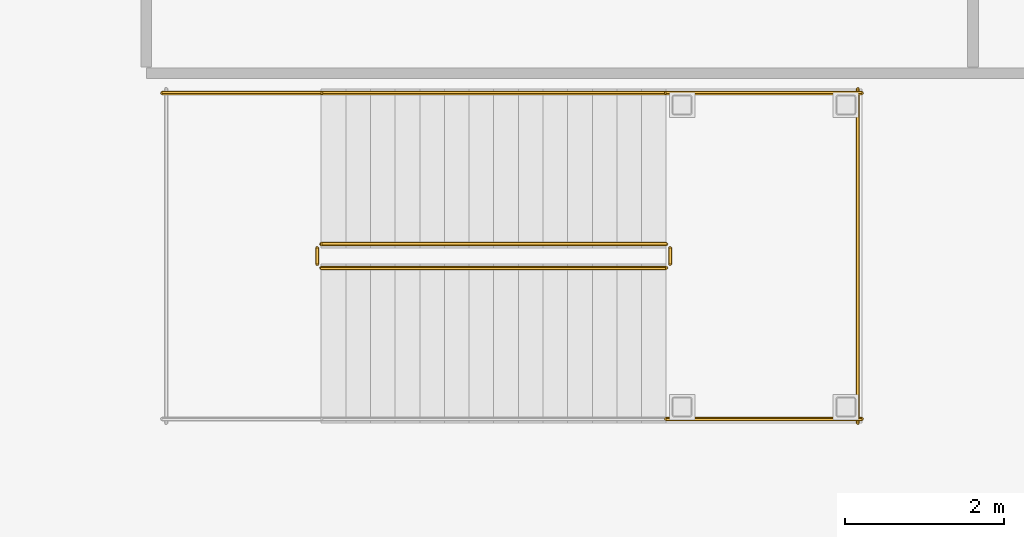
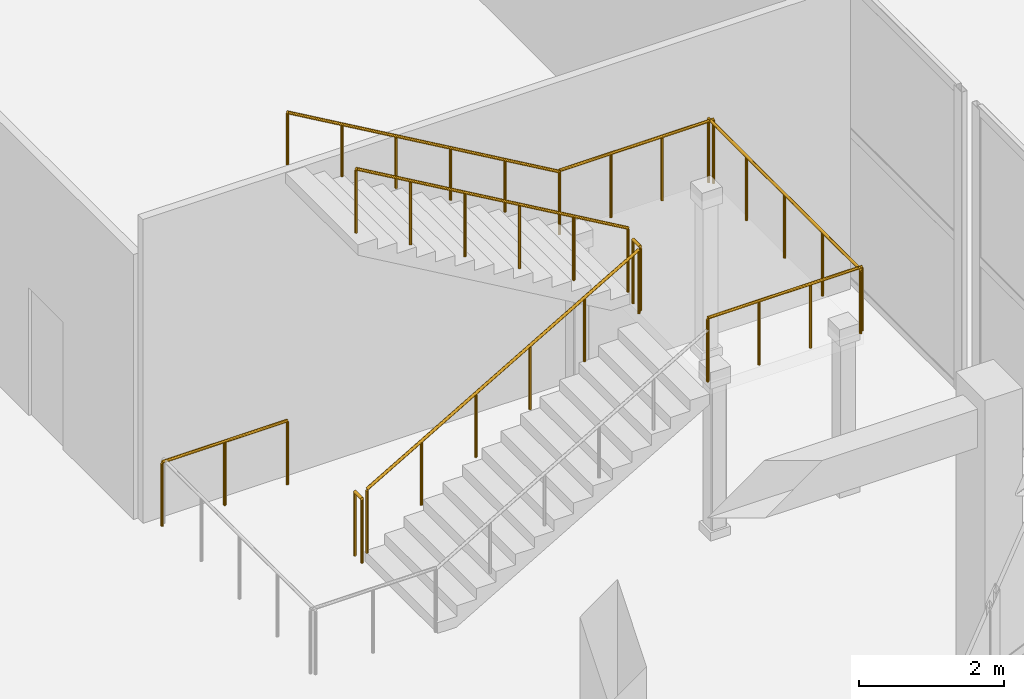
# One storey, part 84 of 98: 9 railings.
"""IFC4 building model written with IfcOpenShell, lengths in metres."""

from ifc_helpers import new_model, si_unit, direction, frame, origin, origin_2d, place, context, subcontext, project, spatial, circle, extrude, material, type_object, element, save


model = new_model("IFC4")

# Units and contexts
model_context = context("Model", 3, precision=1e-05, world=origin(), true_north=direction((0.0, 1.0)))
body_context = subcontext(model_context, "Body", "Model", "MODEL_VIEW")
ifc_project = project(units=[si_unit("LENGTHUNIT", "METRE"), si_unit("AREAUNIT", "SQUARE_METRE"), si_unit("VOLUMEUNIT", "CUBIC_METRE"), si_unit("PLANEANGLEUNIT", "RADIAN"), si_unit("MASSUNIT", "GRAM", prefix="KILO")], contexts=[model_context])

# Site, building, storey
site_placement = place(None, origin())
site = spatial("IfcSite", under=ifc_project, at=site_placement, CompositionType="ELEMENT")
building_placement = place(site_placement, origin())
building = spatial("IfcBuilding", under=site, at=building_placement, Name="Tarnavel Promenade Courthouse", CompositionType="ELEMENT")
storey_placement = place(building_placement, origin())
storey = spatial("IfcBuildingStorey", under=building, at=storey_placement, Name="L01", CompositionType="ELEMENT", Elevation=0.0)

# Railings
ifc_material_1 = material(Name="Brushed Bronze Tubular Stair Handrail")
railing_type_1 = type_object("IfcRailingType", Name="Brushed Bronze Tubular Stair Handrail (RL-HND-0900)", PredefinedType="HANDRAIL", material=ifc_material_1)
railing_1_placement = place(storey_placement, frame((50.139892578125, 24.14990234375, 2.8798828125)))
element("IfcRailing", 1, at=railing_1_placement, inside=storey, type_object=railing_type_1, Name="L01 ST-09 stair handrail 2", PredefinedType="HANDRAIL", context=body_context, shape_type="SweptSolid", body=[
    extrude(circle(Radius=0.02392578125, at=origin_2d()), frame((0.0, 0.0, 0.8759765625), z_axis=(-0.864779406007, 0.0, 0.502151948065), x_axis=(0.0, -1.0, 0.0)), (0.0, 0.0, 1.0), 5.0185546875),
    extrude(circle(Radius=0.02099609375, at=origin_2d()), origin(), (0.0, 0.0, 1.0), 0.851806640625),
    extrude(circle(Radius=0.02099609375, at=origin_2d()), frame((-0.867919921875, 0.0, 0.50390625)), (0.0, 0.0, 1.0), 0.851806640625),
    extrude(circle(Radius=0.02099609375, at=origin_2d()), frame((-1.73583984375, 0.0, 1.008056640625)), (0.0, 0.0, 1.0), 0.851806640625),
    extrude(circle(Radius=0.02099609375, at=origin_2d()), frame((-2.60400390625, 0.0, 1.511962890625)), (0.0, 0.0, 1.0), 0.851806640625),
    extrude(circle(Radius=0.02099609375, at=origin_2d()), frame((-3.471923828125, 0.0, 2.01611328125)), (0.0, 0.0, 1.0), 0.851806640625),
    extrude(circle(Radius=0.02099609375, at=origin_2d()), frame((-4.33984375, 0.0, 2.52001953125)), (0.0, 0.0, 1.0), 0.851806640625),
])
ifc_material_2 = material(Name="Painted Architectural Steel Stair & Atrium Guardrail", Category="steel")
railing_type_2 = type_object("IfcRailingType", Name="Painted Architectural Steel Stair & Atrium Guardrail (RL-GRD-1120)", PredefinedType="GUARDRAIL", material=ifc_material_2)
railing_2_placement = place(storey_placement, frame((45.800048828125, 21.949951171875, 0.179931640625)))
element("IfcRailing", 2, at=railing_2_placement, inside=storey, type_object=railing_type_2, Name="L01 ST-09 stair guard 1", PredefinedType="GUARDRAIL", context=body_context, shape_type="SweptSolid", body=[
    extrude(circle(Radius=0.02392578125, at=origin_2d()), frame((0.0, 0.0, 1.076171875), z_axis=(0.864779406007, 0.0, 0.502151948065), x_axis=(0.0, 1.0, 0.0)), (0.0, 0.0, 1.0), 5.0185546875),
    extrude(circle(Radius=0.02099609375, at=origin_2d()), origin(), (0.0, 0.0, 1.0), 1.052001953125),
    extrude(circle(Radius=0.02099609375, at=origin_2d()), frame((0.867919921875, 0.0, 0.50390625)), (0.0, 0.0, 1.0), 1.052001953125),
    extrude(circle(Radius=0.02099609375, at=origin_2d()), frame((1.73583984375, 0.0, 1.008056640625)), (0.0, 0.0, 1.0), 1.052001953125),
    extrude(circle(Radius=0.02099609375, at=origin_2d()), frame((2.60400390625, 0.0, 1.511962890625)), (0.0, 0.0, 1.0), 1.052001953125),
    extrude(circle(Radius=0.02099609375, at=origin_2d()), frame((3.471923828125, 0.0, 2.01611328125)), (0.0, 0.0, 1.0), 1.052001953125),
    extrude(circle(Radius=0.02099609375, at=origin_2d()), frame((4.33984375, 0.0, 2.52001953125)), (0.0, 0.0, 1.0), 1.052001953125),
])
railing_3_placement = place(storey_placement, frame((50.18994140625, 22.0, 2.699951171875)))
element("IfcRailing", 3, at=railing_3_placement, inside=storey, type_object=railing_type_2, Name="L01 ST-09 stair guard 2", PredefinedType="GUARDRAIL", context=body_context, shape_type="SweptSolid", body=[
    extrude(circle(Radius=0.02392578125, at=origin_2d()), frame((0.0, 0.0, 1.076171875), z_axis=(0.0, 1.0, 0.0), x_axis=(-1.0, 0.0, 0.0)), (0.0, 0.0, 1.0), 0.199951171875),
    extrude(circle(Radius=0.02099609375, at=origin_2d()), origin(), (0.0, 0.0, 1.0), 1.052001953125),
    extrude(circle(Radius=0.02099609375, at=origin_2d()), frame((0.0, 0.199951171875, 0.0)), (0.0, 0.0, 1.0), 1.052001953125),
])
for number, where, name in (
    (4, (50.139892578125, 20.050048828125, 2.699951171875), "L01 ST-09 stair guard 3"),
    (5, (50.139892578125, 24.14990234375, 2.699951171875), "L01 ST-09 stair guard 4"),
):
    element("IfcRailing", number, at=place(storey_placement, frame(where)), inside=storey, type_object=railing_type_2, Name=name, PredefinedType="GUARDRAIL", context=body_context, shape_type="SweptSolid", body=[
        extrude(circle(Radius=0.02392578125, at=origin_2d()), frame((0.0, 0.0, 1.076171875), z_axis=(1.0, 0.0, 0.0), x_axis=(0.0, 1.0, 0.0)), (0.0, 0.0, 1.0), 2.460205078125),
        extrude(circle(Radius=0.02099609375, at=origin_2d()), origin(), (0.0, 0.0, 1.0), 1.052001953125),
        extrude(circle(Radius=0.02099609375, at=origin_2d()), frame((0.820068359375, 0.0, 0.0)), (0.0, 0.0, 1.0), 1.052001953125),
        extrude(circle(Radius=0.02099609375, at=origin_2d()), frame((1.64013671875, 0.0, 0.0)), (0.0, 0.0, 1.0), 1.052001953125),
        extrude(circle(Radius=0.02099609375, at=origin_2d()), frame((2.460205078125, 0.0, 0.0)), (0.0, 0.0, 1.0), 1.052001953125),
    ])
railing_4_placement = place(storey_placement, frame((52.550048828125, 20.0, 2.699951171875)))
element("IfcRailing", 6, at=railing_4_placement, inside=storey, type_object=railing_type_2, Name="L01 ST-09 stair guard 5", PredefinedType="GUARDRAIL", context=body_context, shape_type="SweptSolid", body=[
    extrude(circle(Radius=0.02392578125, at=origin_2d()), frame((0.0, 0.0, 1.076171875), z_axis=(0.0, 1.0, 0.0), x_axis=(-1.0, 0.0, 0.0)), (0.0, 0.0, 1.0), 4.199951171875),
    extrude(circle(Radius=0.02099609375, at=origin_2d()), origin(), (0.0, 0.0, 1.0), 1.052001953125),
    extrude(circle(Radius=0.02099609375, at=origin_2d()), frame((0.0, 1.050048828125, 0.0)), (0.0, 0.0, 1.0), 1.052001953125),
    extrude(circle(Radius=0.02099609375, at=origin_2d()), frame((0.0, 2.10009765625, 0.0)), (0.0, 0.0, 1.0), 1.052001953125),
    extrude(circle(Radius=0.02099609375, at=origin_2d()), frame((0.0, 3.14990234375, 0.0)), (0.0, 0.0, 1.0), 1.052001953125),
    extrude(circle(Radius=0.02099609375, at=origin_2d()), frame((0.0, 4.199951171875, 0.0)), (0.0, 0.0, 1.0), 1.052001953125),
])
railing_5_placement = place(storey_placement, frame((50.139892578125, 22.25, 2.8798828125)))
element("IfcRailing", 7, at=railing_5_placement, inside=storey, type_object=railing_type_2, Name="L01 ST-09 stair guard 6", PredefinedType="GUARDRAIL", context=body_context, shape_type="SweptSolid", body=[
    extrude(circle(Radius=0.02392578125, at=origin_2d()), frame((0.0, 0.0, 1.076171875), z_axis=(-0.864779406007, 0.0, 0.502151948065), x_axis=(0.0, -1.0, 0.0)), (0.0, 0.0, 1.0), 5.0185546875),
    extrude(circle(Radius=0.02099609375, at=origin_2d()), origin(), (0.0, 0.0, 1.0), 1.052001953125),
    extrude(circle(Radius=0.02099609375, at=origin_2d()), frame((-0.867919921875, 0.0, 0.50390625)), (0.0, 0.0, 1.0), 1.052001953125),
    extrude(circle(Radius=0.02099609375, at=origin_2d()), frame((-1.73583984375, 0.0, 1.008056640625)), (0.0, 0.0, 1.0), 1.052001953125),
    extrude(circle(Radius=0.02099609375, at=origin_2d()), frame((-2.60400390625, 0.0, 1.511962890625)), (0.0, 0.0, 1.0), 1.052001953125),
    extrude(circle(Radius=0.02099609375, at=origin_2d()), frame((-3.471923828125, 0.0, 2.01611328125)), (0.0, 0.0, 1.0), 1.052001953125),
    extrude(circle(Radius=0.02099609375, at=origin_2d()), frame((-4.33984375, 0.0, 2.52001953125)), (0.0, 0.0, 1.0), 1.052001953125),
])
railing_6_placement = place(storey_placement, frame((45.75, 22.0, 0.0)))
element("IfcRailing", 8, at=railing_6_placement, inside=storey, type_object=railing_type_2, Name="L01 ST-09 stair guard 7", PredefinedType="GUARDRAIL", context=body_context, shape_type="SweptSolid", body=[
    extrude(circle(Radius=0.02392578125, at=origin_2d()), frame((0.0, 0.0, 1.076171875), z_axis=(0.0, 1.0, 0.0), x_axis=(-1.0, 0.0, 0.0)), (0.0, 0.0, 1.0), 0.199951171875),
    extrude(circle(Radius=0.02099609375, at=origin_2d()), origin(), (0.0, 0.0, 1.0), 1.052001953125),
    extrude(circle(Radius=0.02099609375, at=origin_2d()), frame((0.0, 0.199951171875, 0.0)), (0.0, 0.0, 1.0), 1.052001953125),
])
railing_7_placement = place(storey_placement, frame((43.800048828125, 24.14990234375, 0.0)))
element("IfcRailing", 9, at=railing_7_placement, inside=storey, type_object=railing_type_2, Name="L01 ST-09 stair guard 9", PredefinedType="GUARDRAIL", context=body_context, shape_type="SweptSolid", body=[
    extrude(circle(Radius=0.02392578125, at=origin_2d()), frame((0.0, 0.0, 1.076171875), z_axis=(1.0, 0.0, 0.0), x_axis=(0.0, 1.0, 0.0)), (0.0, 0.0, 1.0), 2.0),
    extrude(circle(Radius=0.02099609375, at=origin_2d()), origin(), (0.0, 0.0, 1.0), 1.052001953125),
    extrude(circle(Radius=0.02099609375, at=origin_2d()), frame((1.0, 0.0, 0.0)), (0.0, 0.0, 1.0), 1.052001953125),
    extrude(circle(Radius=0.02099609375, at=origin_2d()), frame((2.0, 0.0, 0.0)), (0.0, 0.0, 1.0), 1.052001953125),
])

save(model, "model.ifc")
